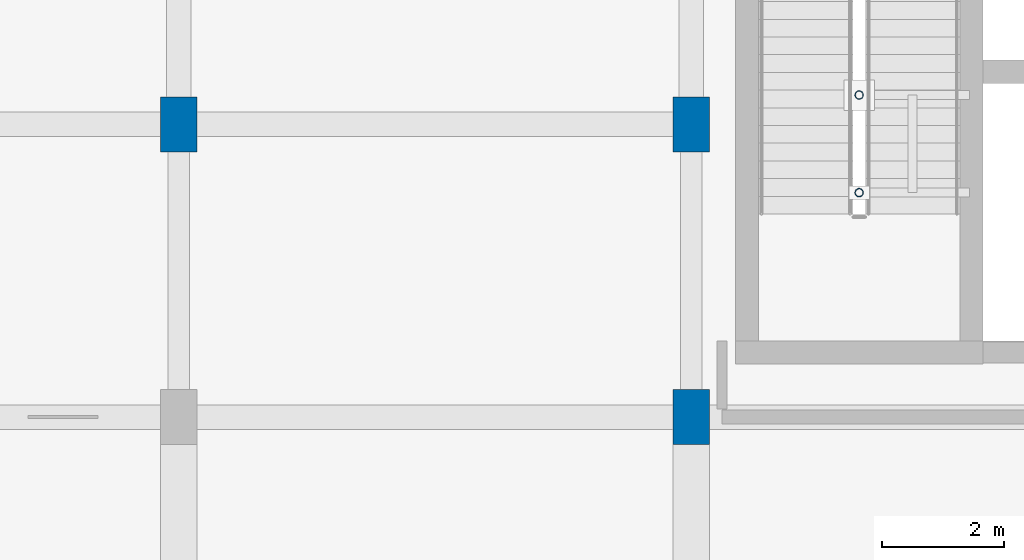
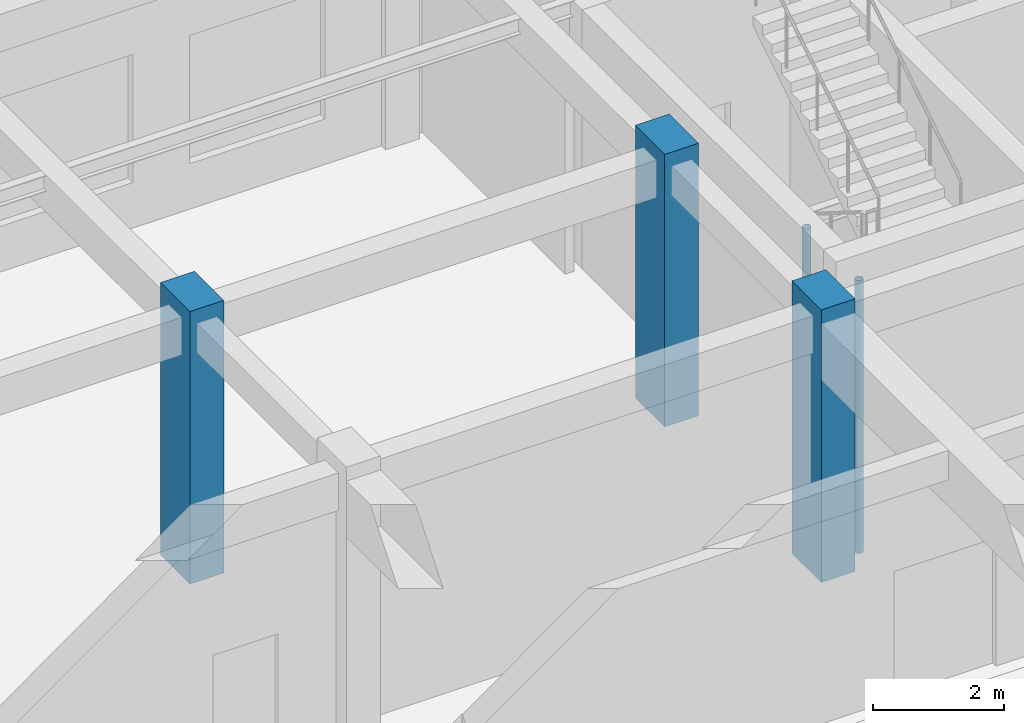
# One storey, part 3 of 77: 5 columns.
"""IFC4 building model written with IfcOpenShell, lengths in metres."""

from ifc_helpers import new_model, si_unit, direction, frame, origin, origin_2d, place, context, subcontext, project, spatial, rectangle, hollow_circle, extrude, material, material_profile, profile_set, type_object, element, save


model = new_model("IFC4")

# Units and contexts
model_context = context("Model", 3, precision=1e-05, world=origin(), true_north=direction((0.0, 1.0)))
body_context = subcontext(model_context, "Body", "Model", "MODEL_VIEW")
ifc_project = project(units=[si_unit("LENGTHUNIT", "METRE"), si_unit("AREAUNIT", "SQUARE_METRE"), si_unit("VOLUMEUNIT", "CUBIC_METRE"), si_unit("PLANEANGLEUNIT", "RADIAN"), si_unit("MASSUNIT", "GRAM", prefix="KILO")], contexts=[model_context])

# Site, building, storey
site_placement = place(None, origin())
site = spatial("IfcSite", under=ifc_project, at=site_placement, CompositionType="ELEMENT")
building_placement = place(site_placement, origin())
building = spatial("IfcBuilding", under=site, at=building_placement, Name="Krzemoval Escarpment Law Courts", CompositionType="ELEMENT")
storey_placement = place(building_placement, frame((0.0, 0.0, 15.300048828125)))
storey = spatial("IfcBuildingStorey", under=building, at=storey_placement, Name="L03", CompositionType="ELEMENT", Elevation=15.300048828125)

# Columns
ifc_material_1 = material(Name="Concrete C50/60", Category="concrete")
ifc_material_profile_1 = material_profile(ifc_material_1, rectangle(XDim=0.60009765625, YDim=0.89990234375, at=origin_2d()), Name="RC 600x900")
ifc_profile_set_1 = profile_set([ifc_material_profile_1], Name="Concrete C50/60")
column_type_1 = type_object("IfcColumnType", Name="COL-RC-600x900", PredefinedType="COLUMN", material=ifc_profile_set_1)
for number, where, z_axis, x_axis, name in (
    (1, (50.39990234375, 27.0, 0.0), (0.0, 0.0, 1.0), (1.0, 0.0, 0.0), "Column FC-L03-1066"),
    (2, (58.800048828125, 22.199951171875, 0.0), (0.0, 0.0, 1.0), (1.0, 0.0, 0.0), "Column FC-L03-1070"),
    (3, (58.800048828125, 27.0, 0.0), (0.0, 0.0, 1.0), (1.0, 0.0, 0.0), "Column FC-L03-1071"),
):
    element("IfcColumn", number, at=place(storey_placement, frame(where, z_axis=z_axis, x_axis=x_axis)), inside=storey, type_object=column_type_1, Name=name, PredefinedType="COLUMN", context=body_context, shape_type="SweptSolid", body=[
        extrude(rectangle(XDim=0.60009765625, YDim=0.89990234375, at=origin_2d()), origin(), (0.0, 0.0, 1.0), 5.099853515625),
    ])
ifc_material_2 = material(Name="Steel S355", Category="steel")
ifc_material_profile_2 = material_profile(ifc_material_2, hollow_circle(Radius=0.06982421875, WallThickness=0.008056640625, at=origin_2d()), Name="CHS 139.7x8")
ifc_profile_set_2 = profile_set([ifc_material_profile_2], Name="Steel S355")
column_type_2 = type_object("IfcColumnType", Name="COL-S355-CHS140", PredefinedType="COLUMN", material=ifc_profile_set_2)
for number, where, z_axis, x_axis, name in (
    (4, (61.550048828125, 25.8798828125, -2.97998046875), (0.0, 0.0, 1.0), (1.0, 0.0, 0.0), "Stair Well Post SCP-C4-L03-1"),
    (5, (61.550048828125, 27.47998046875, -2.97998046875), (0.0, 0.0, 1.0), (1.0, 0.0, 0.0), "Stair Well Post SCP-C4-L03-2"),
):
    element("IfcColumn", number, at=place(storey_placement, frame(where, z_axis=z_axis, x_axis=x_axis)), inside=storey, type_object=column_type_2, Name=name, PredefinedType="COLUMN", context=body_context, shape_type="SweptSolid", body=[
        extrude(hollow_circle(Radius=0.06982421875, WallThickness=0.008056640625, at=origin_2d()), origin(), (0.0, 0.0, 1.0), 5.099853515625),
    ])

save(model, "model.ifc")
